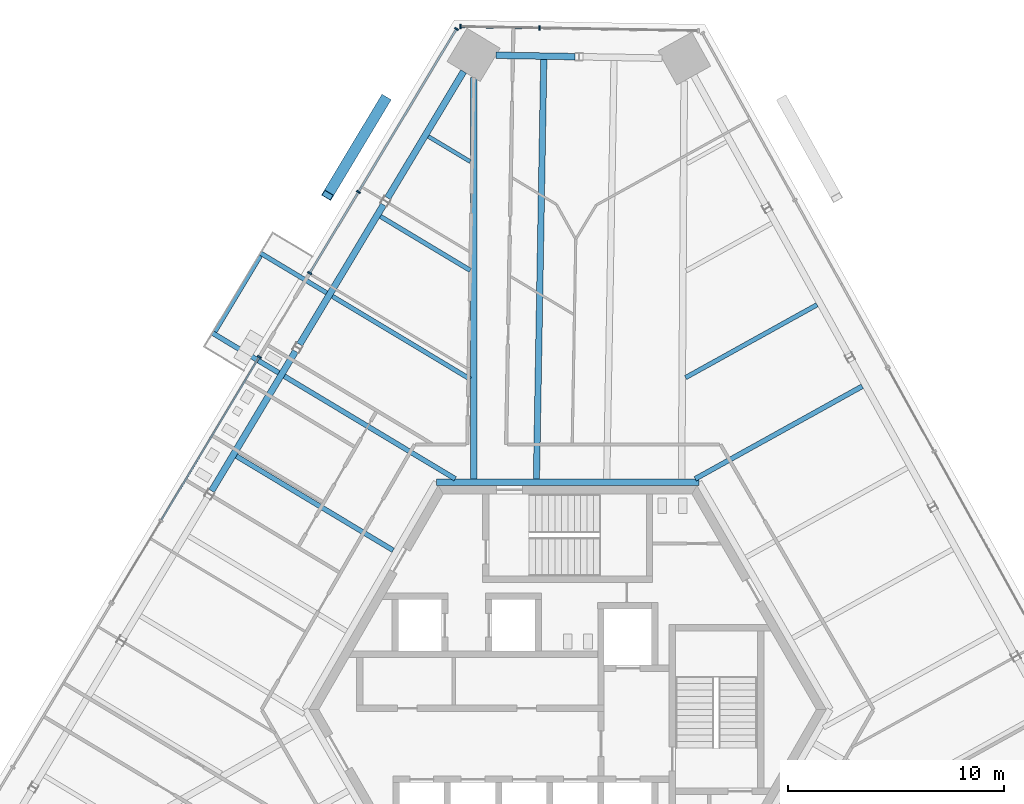
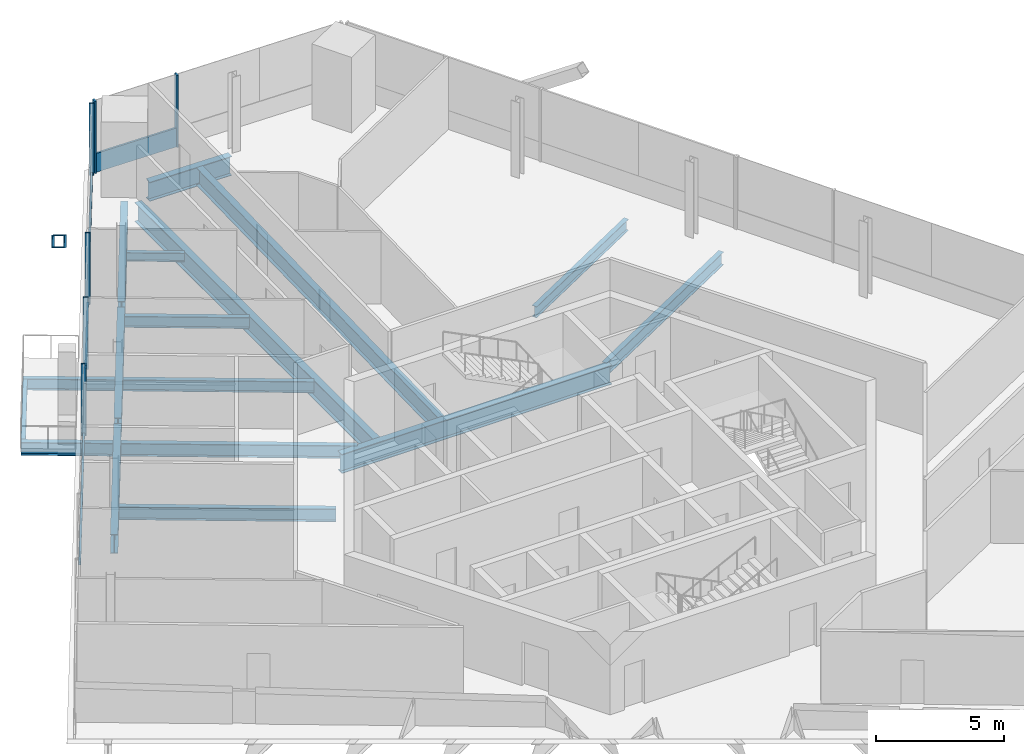
# One storey, part 8 of 19: 17 beams, 11 members, 3 elements without a shape of their own.
"""IFC4 building model written with IfcOpenShell, lengths in metres."""

from ifc_helpers import new_model, si_unit, direction, frame, origin, origin_2d, place, context, subcontext, project, spatial, rectangle, hollow_rectangle, i_section, extrude, source, transform, mapped, material, material_profile, profile_set, type_object, element, aggregate, save


model = new_model("IFC4")

# Units and contexts
model_context = context("Model", 3, precision=1e-05, world=origin(), true_north=direction((0.0, 1.0)))
body_context = subcontext(model_context, "Body", "Model", "MODEL_VIEW")
ifc_project = project(units=[si_unit("LENGTHUNIT", "METRE"), si_unit("AREAUNIT", "SQUARE_METRE"), si_unit("VOLUMEUNIT", "CUBIC_METRE"), si_unit("PLANEANGLEUNIT", "RADIAN"), si_unit("MASSUNIT", "GRAM", prefix="KILO")], contexts=[model_context])

# Site, building, storey
site_placement = place(None, origin())
site = spatial("IfcSite", under=ifc_project, at=site_placement, CompositionType="ELEMENT")
building_placement = place(site_placement, origin())
building = spatial("IfcBuilding", under=site, at=building_placement, Name="Triune Harvest Tower", CompositionType="ELEMENT")
storey_placement = place(building_placement, frame((0.0, 0.0, 183.5)))
storey = spatial("IfcBuildingStorey", under=building, at=storey_placement, Name="L47", CompositionType="ELEMENT", Elevation=183.5)

# Beams
ifc_material_1 = material(Name="Steel ASTM A992 Gr 50", Category="steel")
ifc_material_profile_1 = material_profile(ifc_material_1, i_section(OverallWidth=0.3046875, OverallDepth=0.914306640625, WebThickness=0.0166015625, FlangeThickness=0.02587890625, at=origin_2d()), Name="W36x160")
ifc_profile_set_1 = profile_set([ifc_material_profile_1], Name="Steel ASTM A992 Gr 50")
beam_type_1 = type_object("IfcBeamType", Name="CG-1 Core ring girder W36x160", PredefinedType="BEAM", material=ifc_profile_set_1)
shared_shape_1 = source(origin(), body_context, "Body", "SweptSolid", [
    extrude(i_section(OverallWidth=0.3046875, OverallDepth=0.914306640625, WebThickness=0.0166015625, FlangeThickness=0.02587890625, at=origin_2d()), origin(), (0.0, 0.0, 1.0), 12.17578125),
])
beam_1_placement = place(storey_placement, frame((6.087890625, 10.544677734375, -0.6171875), z_axis=(-1.0, 0.0, 0.0), x_axis=(0.0, -1.0, 0.0)))
element("IfcBeam", 1, at=beam_1_placement, inside=storey, type_object=beam_type_1, Name="beam/L47/CG2", PredefinedType="BEAM", context=body_context, shape_type="MappedRepresentation", body=[
    mapped(shared_shape_1, transform((0.0, 0.0, 0.0), scale=1.0)),
])
ifc_material_2 = material(Name="Steel ASTM A992 Gr 50", Category="steel")
ifc_material_profile_2 = material_profile(ifc_material_2, i_section(OverallWidth=0.3046875, OverallDepth=0.914306640625, WebThickness=0.0166015625, FlangeThickness=0.02587890625, at=origin_2d()), Name="W36x160")
ifc_profile_set_2 = profile_set([ifc_material_profile_2], Name="Steel ASTM A992 Gr 50")
beam_type_2 = type_object("IfcBeamType", Name="SB-1 Spandrel beam W36x160", PredefinedType="SPANDREL", material=ifc_profile_set_2)
shared_shape_2 = source(origin(), body_context, "Body", "SweptSolid", [
    extrude(i_section(OverallWidth=0.3046875, OverallDepth=0.914306640625, WebThickness=0.0166015625, FlangeThickness=0.02587890625, at=origin_2d()), origin(), (0.0, 0.0, 1.0), 3.66357421875),
])
beam_2_placement = place(storey_placement, frame((0.343017578125, 30.281494140625, -0.6171875), z_axis=(-0.999846408449, 0.01752596677, 0.0), x_axis=(-0.01752596677, -0.999846408449, 0.0)))
element("IfcBeam", 2, at=beam_2_placement, inside=storey, type_object=beam_type_2, Name="beam/L47/SB8", PredefinedType="SPANDREL", context=body_context, shape_type="MappedRepresentation", body=[
    mapped(shared_shape_2, transform((0.0, 0.0, 0.0), scale=1.0)),
])
shared_shape_3 = source(origin(), body_context, "Body", "SweptSolid", [
    extrude(i_section(OverallWidth=0.3046875, OverallDepth=0.914306640625, WebThickness=0.0166015625, FlangeThickness=0.02587890625, at=origin_2d()), origin(), (0.0, 0.0, 1.0), 6.842041015625),
])
beam_3_placement = place(storey_placement, frame((-4.822509765625, 29.59228515625, -0.6171875), z_axis=(-0.515041383774, -0.857165312527, 0.0), x_axis=(0.857165312527, -0.515041383774, 0.0)))
element("IfcBeam", 3, at=beam_3_placement, inside=storey, type_object=beam_type_2, Name="beam/L47/SB9", PredefinedType="SPANDREL", context=body_context, shape_type="MappedRepresentation", body=[
    mapped(shared_shape_3, transform((0.0, 0.0, 0.0), scale=1.0)),
])
shared_shape_4 = source(origin(), body_context, "Body", "SweptSolid", [
    extrude(i_section(OverallWidth=0.3046875, OverallDepth=0.914306640625, WebThickness=0.0166015625, FlangeThickness=0.02587890625, at=origin_2d()), origin(), (0.0, 0.0, 1.0), 7.556640625),
])
for number, where, z_axis, x_axis, name in (
    (4, (-8.537353515625, 23.409912109375, -0.6171875), (-0.515027794287, -0.857173477839, 0.0), (0.857173477839, -0.515027794287, 0.0), "beam/L47/SB10"),
    (5, (-12.6201171875, 16.614990234375, -0.6171875), (-0.515027794287, -0.857173477839, 0.0), (0.857173477839, -0.515027794287, 0.0), "beam/L47/SB11"),
):
    element("IfcBeam", number, at=place(storey_placement, frame(where, z_axis=z_axis, x_axis=x_axis)), inside=storey, type_object=beam_type_2, Name=name, PredefinedType="SPANDREL", context=body_context, shape_type="MappedRepresentation", body=[
        mapped(shared_shape_4, transform((0.0, 0.0, 0.0), scale=1.0)),
    ])
ifc_material_3 = material(Name="Steel ASTM A992 Gr 50", Category="steel")
ifc_material_profile_3 = material_profile(ifc_material_3, i_section(OverallWidth=0.307373046875, OverallDepth=0.922119140625, WebThickness=0.018310546875, FlangeThickness=0.030029296875, at=origin_2d()), Name="W36x182")
ifc_profile_set_3 = profile_set([ifc_material_profile_3], Name="Steel ASTM A992 Gr 50")
beam_type_3 = type_object("IfcBeamType", Name="HG-2 Hip girder W36x182", PredefinedType="BEAM", material=ifc_profile_set_3)
shared_shape_5 = source(origin(), body_context, "Body", "SweptSolid", [
    extrude(i_section(OverallWidth=0.307373046875, OverallDepth=0.922119140625, WebThickness=0.018310546875, FlangeThickness=0.030029296875, at=origin_2d()), origin(), (0.0, 0.0, 1.0), 18.61669921875),
])
beam_4_placement = place(storey_placement, frame((-4.359130859375, 29.313720703125, -0.62109375), z_axis=(0.0, -1.0, 0.0), x_axis=(1.0, 0.0, 0.0)))
element("IfcBeam", 6, at=beam_4_placement, inside=storey, type_object=beam_type_3, Name="beam/L47/HG4", PredefinedType="BEAM", context=body_context, shape_type="MappedRepresentation", body=[
    mapped(shared_shape_5, transform((0.0, 0.0, 0.0), scale=1.0)),
])
ifc_material_4 = material(Name="Steel ASTM A992 Gr 50", Category="steel")
ifc_material_profile_4 = material_profile(ifc_material_4, i_section(OverallWidth=0.180908203125, OverallDepth=0.41650390625, WebThickness=0.010986328125, FlangeThickness=0.01806640625, at=origin_2d()), Name="W16x57")
ifc_profile_set_4 = profile_set([ifc_material_profile_4], Name="Steel ASTM A992 Gr 50")
beam_type_4 = type_object("IfcBeamType", Name="JT-1 Floor joist W16x57", PredefinedType="JOIST", material=ifc_profile_set_4)
shared_shape_6 = source(origin(), body_context, "Body", "SweptSolid", [
    extrude(i_section(OverallWidth=0.180908203125, OverallDepth=0.41650390625, WebThickness=0.010986328125, FlangeThickness=0.01806640625, at=origin_2d()), origin(), (0.0, 0.0, 1.0), 2.266357421875),
])
beam_5_placement = place(storey_placement, frame((-6.455322265625, 26.578857421875, -0.368408203125), z_axis=(0.857169580884, -0.515034280031, 0.0), x_axis=(0.515034280031, 0.857169580884, 0.0)))
element("IfcBeam", 7, at=beam_5_placement, inside=storey, type_object=beam_type_4, Name="beam/L47/JT13", PredefinedType="JOIST", context=body_context, shape_type="MappedRepresentation", body=[
    mapped(shared_shape_6, transform((0.0, 0.0, 0.0), scale=1.0)),
])
ifc_material_5 = material(Name="Steel ASTM A992 Gr 50", Category="steel")
ifc_material_profile_5 = material_profile(ifc_material_5, i_section(OverallWidth=0.22900390625, OverallDepth=0.612060546875, WebThickness=0.011962890625, FlangeThickness=0.01953125, at=origin_2d()), Name="W24x84")
ifc_profile_set_5 = profile_set([ifc_material_profile_5], Name="Steel ASTM A992 Gr 50")
beam_type_5 = type_object("IfcBeamType", Name="JT-3 Floor joist W24x84", PredefinedType="JOIST", material=ifc_profile_set_5)
shared_shape_7 = source(origin(), body_context, "Body", "SweptSolid", [
    extrude(i_section(OverallWidth=0.22900390625, OverallDepth=0.612060546875, WebThickness=0.011962890625, FlangeThickness=0.01953125, at=origin_2d()), origin(), (0.0, 0.0, 1.0), 9.247314453125),
])
beam_6_placement = place(storey_placement, frame((-13.136474609375, 15.459716796875, -0.466064453125), z_axis=(0.857168952485, -0.515035325872, 0.0), x_axis=(0.515035325872, 0.857168952485, 0.0)))
element("IfcBeam", 8, at=beam_6_placement, inside=storey, type_object=beam_type_5, Name="beam/L47/JT16", PredefinedType="JOIST", context=body_context, shape_type="MappedRepresentation", body=[
    mapped(shared_shape_7, transform((0.0, 0.0, 0.0), scale=1.0)),
])
shared_shape_8 = source(origin(), body_context, "Body", "SweptSolid", [
    extrude(i_section(OverallWidth=0.22900390625, OverallDepth=0.612060546875, WebThickness=0.011962890625, FlangeThickness=0.01953125, at=origin_2d()), origin(), (0.0, 0.0, 1.0), 8.85888671875),
])
beam_7_placement = place(storey_placement, frame((13.66796875, 14.991943359375, -0.466064453125), z_axis=(-0.874614472557, -0.484819063563, 0.0), x_axis=(0.484819063563, -0.874614472557, 0.0)))
element("IfcBeam", 9, at=beam_7_placement, inside=storey, type_object=beam_type_5, Name="beam/L47/JT7", PredefinedType="JOIST", context=body_context, shape_type="MappedRepresentation", body=[
    mapped(shared_shape_8, transform((0.0, 0.0, 0.0), scale=1.0)),
])
ifc_material_6 = material(Name="Steel ASTM A992 Gr 50", Category="steel")
ifc_material_profile_6 = material_profile(ifc_material_6, i_section(OverallWidth=0.2099609375, OverallDepth=0.535888671875, WebThickness=0.010986328125, FlangeThickness=0.017333984375, at=origin_2d()), Name="W21x68")
ifc_profile_set_6 = profile_set([ifc_material_profile_6], Name="Steel ASTM A992 Gr 50")
beam_type_6 = type_object("IfcBeamType", Name="JT-2 Floor joist W21x68", PredefinedType="JOIST", material=ifc_profile_set_6)
shared_shape_9 = source(origin(), body_context, "Body", "SweptSolid", [
    extrude(i_section(OverallWidth=0.2099609375, OverallDepth=0.535888671875, WebThickness=0.010986328125, FlangeThickness=0.017333984375, at=origin_2d()), origin(), (0.0, 0.0, 1.0), 6.97265625),
])
beam_8_placement = place(storey_placement, frame((11.57177734375, 18.773681640625, -0.427978515625), z_axis=(-0.874620980943, -0.484807322236, 0.0), x_axis=(0.484807322236, -0.874620980943, 0.0)))
element("IfcBeam", 10, at=beam_8_placement, inside=storey, type_object=beam_type_6, Name="beam/L47/JT8", PredefinedType="JOIST", context=body_context, shape_type="MappedRepresentation", body=[
    mapped(shared_shape_9, transform((0.0, 0.0, 0.0), scale=1.0)),
])
ifc_material_7 = material(Name="Steel ASTM A992 Gr 50", Category="steel")
ifc_material_profile_7 = material_profile(ifc_material_7, i_section(OverallWidth=0.2919921875, OverallDepth=0.8408203125, WebThickness=0.0146484375, FlangeThickness=0.021728515625, at=origin_2d()), Name="W33x130")
ifc_profile_set_7 = profile_set([ifc_material_profile_7], Name="Steel ASTM A992 Gr 50")
beam_type_7 = type_object("IfcBeamType", Name="JT-6 Floor joist W33x130", PredefinedType="JOIST", material=ifc_profile_set_7)
shared_shape_10 = source(origin(), body_context, "Body", "SweptSolid", [
    extrude(i_section(OverallWidth=0.2919921875, OverallDepth=0.8408203125, WebThickness=0.0146484375, FlangeThickness=0.021728515625, at=origin_2d()), origin(), (0.0, 0.0, 1.0), 19.460205078125),
])
beam_9_placement = place(storey_placement, frame((-1.103515625, 30.154296875, -0.580322265625), z_axis=(-0.017450947707, -0.999847720618, 0.0), x_axis=(0.999847720618, -0.017450947707, 0.0)))
element("IfcBeam", 11, at=beam_9_placement, inside=storey, type_object=beam_type_7, Name="beam/L47/JT12", PredefinedType="JOIST", context=body_context, shape_type="MappedRepresentation", body=[
    mapped(shared_shape_10, transform((0.0, 0.0, 0.0), scale=1.0)),
])
shared_shape_11 = source(origin(), body_context, "Body", "SweptSolid", [
    extrude(i_section(OverallWidth=0.2099609375, OverallDepth=0.535888671875, WebThickness=0.010986328125, FlangeThickness=0.017333984375, at=origin_2d()), origin(), (0.0, 0.0, 1.0), 4.864501953125),
])
beam_10_placement = place(storey_placement, frame((-8.682373046875, 22.87255859375, -0.427978515625), z_axis=(0.857169483424, -0.515034442233, 0.0), x_axis=(0.515034442233, 0.857169483424, 0.0)))
element("IfcBeam", 12, at=beam_10_placement, inside=storey, type_object=beam_type_6, Name="beam/L47/JT14", PredefinedType="JOIST", context=body_context, shape_type="MappedRepresentation", body=[
    mapped(shared_shape_11, transform((0.0, 0.0, 0.0), scale=1.0)),
])
shared_shape_12 = source(origin(), body_context, "Body", "SweptSolid", [
    extrude(i_section(OverallWidth=0.2099609375, OverallDepth=0.535888671875, WebThickness=0.010986328125, FlangeThickness=0.017333984375, at=origin_2d()), origin(), (0.0, 0.0, 1.0), 7.462646484375),
])
beam_11_placement = place(storey_placement, frame((-10.909423828125, 19.166259765625, -0.427978515625), z_axis=(0.857169453827, -0.515034491492, 0.0), x_axis=(0.515034491492, 0.857169453827, 0.0)))
element("IfcBeam", 13, at=beam_11_placement, inside=storey, type_object=beam_type_6, Name="beam/L47/JT15", PredefinedType="JOIST", context=body_context, shape_type="MappedRepresentation", body=[
    mapped(shared_shape_12, transform((0.0, 0.0, 0.0), scale=1.0)),
])
shared_shape_13 = source(origin(), body_context, "Body", "SweptSolid", [
    extrude(i_section(OverallWidth=0.22900390625, OverallDepth=0.612060546875, WebThickness=0.011962890625, FlangeThickness=0.01953125, at=origin_2d()), origin(), (0.0, 0.0, 1.0), 8.48583984375),
])
beam_12_placement = place(storey_placement, frame((-15.36328125, 11.75341796875, -0.466064453125), z_axis=(0.857160193187, -0.515049903616, 0.0), x_axis=(0.515049903616, 0.857160193187, 0.0)))
element("IfcBeam", 14, at=beam_12_placement, inside=storey, type_object=beam_type_5, Name="beam/L47/JT17", PredefinedType="JOIST", context=body_context, shape_type="MappedRepresentation", body=[
    mapped(shared_shape_13, transform((0.0, 0.0, 0.0), scale=1.0)),
])

# Member
ifc_material_8 = material(Name="Steel ASTM A572 Gr 50", Category="steel")
ifc_material_profile_8 = material_profile(ifc_material_8, hollow_rectangle(XDim=0.5, YDim=0.5, WallThickness=0.030029296875, at=origin_2d()), Name="Box 500x500x30")
ifc_profile_set_8 = profile_set([ifc_material_profile_8], Name="Steel ASTM A572 Gr 50")
member_type_1 = type_object("IfcMemberType", Name="BR-3 Brace Box 500x500x30", PredefinedType="BRACE", material=ifc_profile_set_8)
shared_shape_14 = source(origin(), body_context, "Body", "SweptSolid", [
    extrude(hollow_rectangle(XDim=0.5, YDim=0.5, WallThickness=0.030029296875, at=origin_2d()), origin(), (0.0, 0.0, 1.0), 6.302978515625),
])
member_1_placement = place(storey_placement, frame((-8.466796875, 28.288330078125, 0.0), z_axis=(-0.422741643471, -0.703601058607, 0.571169898719), x_axis=(0.857180490419, -0.515016122898, 0.0)))
element("IfcMember", 15, at=member_1_placement, inside=storey, type_object=member_type_1, Name="brace/B5-F3/d1/2", PredefinedType="BRACE", context=body_context, shape_type="MappedRepresentation", body=[
    mapped(shared_shape_14, transform((0.0, 0.0, 0.0), scale=1.0)),
])

# Curtain wall, members
ifc_material_9 = material(Name="Aluminium bronze anodised", Category="aluminium")
curtain_wall_type_1 = type_object("IfcCurtainWallType", Name="CW-1 Tower stick curtain wall", PredefinedType="NOTDEFINED", material=ifc_material_9)
curtain_wall_1_placement = place(storey_placement, origin())
curtain_wall_1 = element("IfcCurtainWall", 16, at=curtain_wall_1_placement, inside=storey, type_object=curtain_wall_type_1, Name="CW-1 B5-F2 L47 run 1")
ifc_material_10 = material(Name="Aluminium bronze anodised", Category="aluminium")
ifc_material_profile_9 = material_profile(ifc_material_10, rectangle(XDim=0.199951171875, YDim=0.074951171875, at=origin_2d()), Name="MU-1 mullion 75 x 200")
ifc_profile_set_9 = profile_set([ifc_material_profile_9], Name="Aluminium bronze anodised")
member_type_2 = type_object("IfcMemberType", Name="MU-1 mullion 75 x 200", PredefinedType="MULLION", material=ifc_profile_set_9)
shared_shape_15 = source(origin(), body_context, "Body", "SweptSolid", [
    extrude(rectangle(XDim=0.199951171875, YDim=0.074951171875, at=origin_2d()), origin(), (0.0, 0.0, 1.0), 3.43994140625),
])
member_2_placement = place(storey_placement, frame((-1.298583984375, 31.612548828125, 0.0), z_axis=(0.0, 0.0, 1.0), x_axis=(-0.017446318452, -0.999847801404, 0.0)))
member_2 = element("IfcMember", 17, at=member_2_placement, type_object=member_type_2, Name="CW-1 mullion B5-F2 1.3", PredefinedType="MULLION", context=body_context, shape_type="MappedRepresentation", body=[
    mapped(shared_shape_15, transform((0.0, 0.0, 0.0), scale=1.0)),
])
member_3_placement = place(storey_placement, frame((-4.960693359375, 31.676513671875, 0.0), z_axis=(0.0, 0.0, 1.0), x_axis=(-0.017446318452, -0.999847801404, 0.0)))
member_3 = element("IfcMember", 18, at=member_3_placement, type_object=member_type_2, Name="CW-1 mullion B5-F2 1.4", PredefinedType="MULLION", context=body_context, shape_type="MappedRepresentation", body=[
    mapped(shared_shape_15, transform((0.0, 0.0, 0.0), scale=1.0)),
])

ifc_material_11 = material(Name="Aluminium bronze anodised", Category="aluminium")
curtain_wall_type_2 = type_object("IfcCurtainWallType", Name="CW-10 Balcony window wall with insulated spandrel infill", PredefinedType="NOTDEFINED", material=ifc_material_11)
curtain_wall_2_placement = place(storey_placement, origin())
curtain_wall_2 = element("IfcCurtainWall", 19, at=curtain_wall_2_placement, inside=storey, type_object=curtain_wall_type_2, Name="CW-10 B5-F3 L47 run 1")
ifc_material_12 = material(Name="Aluminium bronze anodised", Category="aluminium")
ifc_material_profile_10 = material_profile(ifc_material_12, rectangle(XDim=0.199951171875, YDim=0.074951171875, at=origin_2d()), Name="MU-6 mullion 75 x 200")
ifc_profile_set_10 = profile_set([ifc_material_profile_10], Name="Aluminium bronze anodised")
member_type_3 = type_object("IfcMemberType", Name="MU-6 mullion 75 x 200", PredefinedType="MULLION", material=ifc_profile_set_10)
shared_shape_16 = source(origin(), body_context, "Body", "SweptSolid", [
    extrude(rectangle(XDim=0.199951171875, YDim=0.074951171875, at=origin_2d()), origin(), (0.0, 0.0, 1.0), 3.43994140625),
])
member_4_placement = place(storey_placement, frame((-5.15380859375, 31.5693359375, 0.0), z_axis=(0.0, 0.0, 1.0), x_axis=(0.857168167557, -0.515036632219, 0.0)))
member_4 = element("IfcMember", 20, at=member_4_placement, type_object=member_type_3, Name="CW-10 mullion B5-F3 1.1", PredefinedType="MULLION", context=body_context, shape_type="MappedRepresentation", body=[
    mapped(shared_shape_16, transform((0.0, 0.0, 0.0), scale=1.0)),
])
member_5_placement = place(storey_placement, frame((-9.6982421875, 24.006103515625, 0.0), z_axis=(0.0, 0.0, 1.0), x_axis=(0.857168167557, -0.515036632219, 0.0)))
member_5 = element("IfcMember", 21, at=member_5_placement, type_object=member_type_3, Name="CW-10 mullion B5-F3 1.3", PredefinedType="MULLION", context=body_context, shape_type="MappedRepresentation", body=[
    mapped(shared_shape_16, transform((0.0, 0.0, 0.0), scale=1.0)),
])
member_6_placement = place(storey_placement, frame((-11.9609375, 20.240234375, 0.0), z_axis=(0.0, 0.0, 1.0), x_axis=(0.857168167557, -0.515036632219, 0.0)))
member_6 = element("IfcMember", 22, at=member_6_placement, type_object=member_type_3, Name="CW-10 mullion B5-F3 1.4", PredefinedType="MULLION", context=body_context, shape_type="MappedRepresentation", body=[
    mapped(shared_shape_16, transform((0.0, 0.0, 0.0), scale=1.0)),
])

# Curtain wall, member
ifc_material_13 = material(Name="Aluminium bronze anodised", Category="aluminium")
curtain_wall_type_3 = type_object("IfcCurtainWallType", Name="CW-6 Balcony window wall", PredefinedType="NOTDEFINED", material=ifc_material_13)
curtain_wall_3_placement = place(storey_placement, origin())
curtain_wall_3 = element("IfcCurtainWall", 23, at=curtain_wall_3_placement, inside=storey, type_object=curtain_wall_type_3, Name="CW-6 B5-F3 L47 run 2")
member_7_placement = place(storey_placement, frame((-14.296875, 16.3525390625, 0.0), z_axis=(0.0, 0.0, 1.0), x_axis=(0.857167648661, -0.515037495808, 0.0)))
member_7 = element("IfcMember", 24, at=member_7_placement, type_object=member_type_3, Name="CW-6 mullion B5-F3 2.1", PredefinedType="MULLION", context=body_context, shape_type="MappedRepresentation", body=[
    mapped(shared_shape_16, transform((0.0, 0.0, 0.0), scale=1.0)),
])

# Beams
ifc_material_14 = material(Name="Steel ASTM A992 Gr 50", Category="steel")
ifc_material_profile_11 = material_profile(ifc_material_14, i_section(OverallWidth=0.22900390625, OverallDepth=0.612060546875, WebThickness=0.011962890625, FlangeThickness=0.01953125, at=origin_2d()), Name="W24x84")
ifc_profile_set_11 = profile_set([ifc_material_profile_11], Name="Steel ASTM A992 Gr 50")
beam_type_8 = type_object("IfcBeamType", Name="BJ-3 Balcony cantilever joist W24x84", PredefinedType="JOIST", material=ifc_profile_set_11)
shared_shape_17 = source(origin(), body_context, "Body", "SweptSolid", [
    extrude(i_section(OverallWidth=0.22900390625, OverallDepth=0.612060546875, WebThickness=0.011962890625, FlangeThickness=0.01953125, at=origin_2d()), origin(), (0.0, 0.0, 1.0), 3.59765625),
])
beam_13_placement = place(storey_placement, frame((-13.397705078125, 15.61669921875, -0.466064453125), z_axis=(-0.857151436467, 0.515064476509, 0.0), x_axis=(-0.515064476509, -0.857151436467, 0.0)))
element("IfcBeam", 25, at=beam_13_placement, inside=storey, type_object=beam_type_8, Name="Balcony cantilever joist B5-F3 L47.4b", PredefinedType="JOIST", context=body_context, shape_type="MappedRepresentation", body=[
    mapped(shared_shape_17, transform((0.0, 0.0, 0.0), scale=1.0)),
])
ifc_material_15 = material(Name="Steel ASTM A992 Gr 50", Category="steel")
ifc_material_profile_12 = material_profile(ifc_material_15, i_section(OverallWidth=0.2099609375, OverallDepth=0.535888671875, WebThickness=0.010986328125, FlangeThickness=0.017333984375, at=origin_2d()), Name="W21x68")
ifc_profile_set_12 = profile_set([ifc_material_profile_12], Name="Steel ASTM A992 Gr 50")
beam_type_9 = type_object("IfcBeamType", Name="BJ-2 Balcony cantilever joist W21x68", PredefinedType="JOIST", material=ifc_profile_set_12)
shared_shape_18 = source(origin(), body_context, "Body", "SweptSolid", [
    extrude(i_section(OverallWidth=0.2099609375, OverallDepth=0.535888671875, WebThickness=0.010986328125, FlangeThickness=0.017333984375, at=origin_2d()), origin(), (0.0, 0.0, 1.0), 3.59765625),
])
beam_14_placement = place(storey_placement, frame((-11.170654296875, 19.3232421875, -0.427978515625), z_axis=(-0.857181395869, 0.515014615886, 0.0), x_axis=(-0.515014615886, -0.857181395869, 0.0)))
element("IfcBeam", 26, at=beam_14_placement, inside=storey, type_object=beam_type_9, Name="Balcony cantilever joist B5-F3 L47.4a", PredefinedType="JOIST", context=body_context, shape_type="MappedRepresentation", body=[
    mapped(shared_shape_18, transform((0.0, 0.0, 0.0), scale=1.0)),
])

# Member
ifc_material_16 = material(Name="Aluminium bronze anodised", Category="aluminium")
ifc_material_profile_13 = material_profile(ifc_material_16, rectangle(XDim=0.090087890625, YDim=0.89990234375, at=origin_2d()), Name="TR-1 transom 90 x 900")
ifc_profile_set_13 = profile_set([ifc_material_profile_13], Name="Aluminium bronze anodised")
member_type_4 = type_object("IfcMemberType", Name="TR-1 transom 90 x 900", PredefinedType="USERDEFINED", material=ifc_profile_set_13)
shared_shape_19 = source(origin(), body_context, "Body", "SweptSolid", [
    extrude(rectangle(XDim=0.090087890625, YDim=0.89990234375, at=origin_2d()), origin(), (0.0, 0.0, 1.0), 3.58740234375),
])
member_8_placement = place(storey_placement, frame((-1.336181640625, 31.61328125, 0.449951171875), z_axis=(-0.999848228853, 0.017421804151, 0.0), x_axis=(-0.017421804151, -0.999848228853, 0.0)))
member_8 = element("IfcMember", 27, at=member_8_placement, type_object=member_type_4, Name="CW-1 transom B5-F2 1.2", ObjectType="TRANSOM", PredefinedType="USERDEFINED", context=body_context, shape_type="MappedRepresentation", body=[
    mapped(shared_shape_19, transform((0.0, 0.0, 0.0), scale=1.0)),
])

aggregate(curtain_wall_1, [member_2, member_3, member_8])

ifc_material_17 = material(Name="Aluminium bronze anodised", Category="aluminium")
ifc_material_profile_14 = material_profile(ifc_material_17, rectangle(XDim=0.090087890625, YDim=0.14990234375, at=origin_2d()), Name="TR-6 transom 90 x 150")
ifc_profile_set_14 = profile_set([ifc_material_profile_14], Name="Aluminium bronze anodised")
member_type_5 = type_object("IfcMemberType", Name="TR-6 transom 90 x 150", PredefinedType="USERDEFINED", material=ifc_profile_set_14)
shared_shape_20 = source(origin(), body_context, "Body", "SweptSolid", [
    extrude(rectangle(XDim=0.090087890625, YDim=0.14990234375, at=origin_2d()), origin(), (0.0, 0.0, 1.0), 8.748779296875),
])
member_9_placement = place(storey_placement, frame((-5.173095703125, 31.537353515625, 0.074951171875), z_axis=(-0.515025042297, -0.857175131351, 0.0), x_axis=(0.857175131351, -0.515025042297, 0.0)))
member_9 = element("IfcMember", 28, at=member_9_placement, type_object=member_type_5, Name="CW-10 transom B5-F3 1.1", ObjectType="TRANSOM", PredefinedType="USERDEFINED", context=body_context, shape_type="MappedRepresentation", body=[
    mapped(shared_shape_20, transform((0.0, 0.0, 0.0), scale=1.0)),
])

shared_shape_21 = source(origin(), body_context, "Body", "SweptSolid", [
    extrude(rectangle(XDim=0.090087890625, YDim=0.14990234375, at=origin_2d()), origin(), (0.0, 0.0, 1.0), 4.318359375),
])
member_10_placement = place(storey_placement, frame((-9.717529296875, 23.973876953125, 0.074951171875), z_axis=(-0.515052703283, -0.857158510919, 0.0), x_axis=(0.857158510919, -0.515052703283, 0.0)))
member_10 = element("IfcMember", 29, at=member_10_placement, type_object=member_type_5, Name="CW-10 transom B5-F3 1.2", ObjectType="TRANSOM", PredefinedType="USERDEFINED", context=body_context, shape_type="MappedRepresentation", body=[
    mapped(shared_shape_21, transform((0.0, 0.0, 0.0), scale=1.0)),
])

aggregate(curtain_wall_2, [member_4, member_5, member_6, member_9, member_10])

# Beam
ifc_material_18 = material(Name="Steel ASTM A992 Gr 50", Category="steel")
ifc_material_profile_15 = material_profile(ifc_material_18, i_section(OverallWidth=0.180908203125, OverallDepth=0.41650390625, WebThickness=0.010986328125, FlangeThickness=0.01806640625, at=origin_2d()), Name="W16x57")
ifc_profile_set_15 = profile_set([ifc_material_profile_15], Name="Steel ASTM A992 Gr 50")
beam_type_10 = type_object("IfcBeamType", Name="BE-1 balcony edge beam W16x57", PredefinedType="BEAM", material=ifc_profile_set_15)
shared_shape_22 = source(origin(), body_context, "Body", "SweptSolid", [
    extrude(i_section(OverallWidth=0.180908203125, OverallDepth=0.41650390625, WebThickness=0.010986328125, FlangeThickness=0.01806640625, at=origin_2d()), origin(), (0.0, 0.0, 1.0), 4.1044921875),
])
beam_15_placement = place(storey_placement, frame((-16.344970703125, 17.521240234375, -0.368408203125), z_axis=(0.51499426671, 0.857193621801, 0.0), x_axis=(-0.857193621801, 0.51499426671, 0.0)))
element("IfcBeam", 30, at=beam_15_placement, inside=storey, type_object=beam_type_10, Name="Balcony edge beam B5-F3 L47.4", PredefinedType="BEAM", context=body_context, shape_type="MappedRepresentation", body=[
    mapped(shared_shape_22, transform((0.0, 0.0, 0.0), scale=1.0)),
])

# Member
shared_shape_23 = source(origin(), body_context, "Body", "SweptSolid", [
    extrude(rectangle(XDim=0.090087890625, YDim=0.14990234375, at=origin_2d()), origin(), (0.0, 0.0, 1.0), 8.782958984375),
])
member_11_placement = place(storey_placement, frame((-14.316162109375, 16.3203125, 0.074951171875), z_axis=(-0.515055679002, -0.857156722851, 0.0), x_axis=(0.857156722851, -0.515055679002, 0.0)))
member_11 = element("IfcMember", 31, at=member_11_placement, type_object=member_type_5, Name="CW-6 transom B5-F3 2.1", ObjectType="TRANSOM", PredefinedType="USERDEFINED", context=body_context, shape_type="MappedRepresentation", body=[
    mapped(shared_shape_23, transform((0.0, 0.0, 0.0), scale=1.0)),
])

aggregate(curtain_wall_3, [member_7, member_11])

save(model, "model.ifc")
